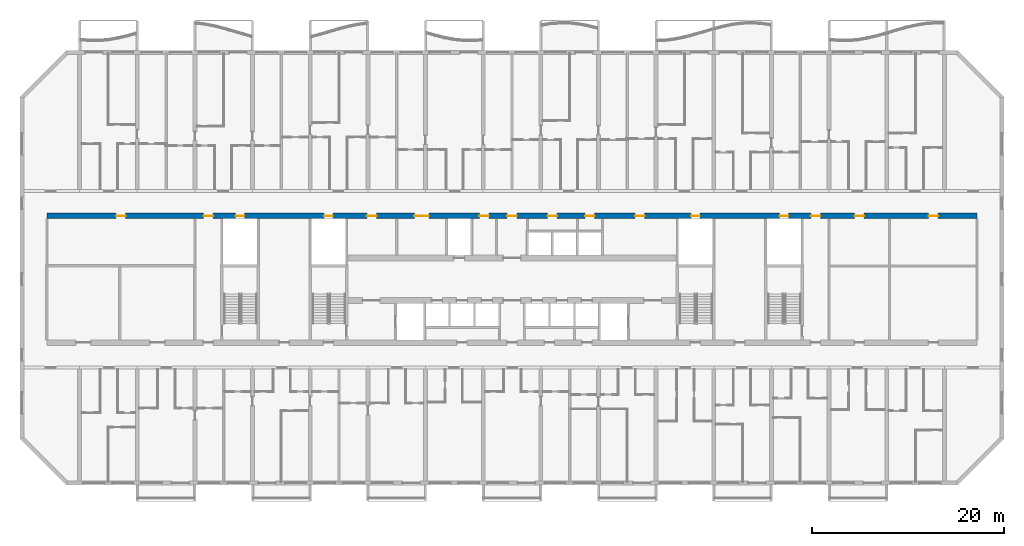
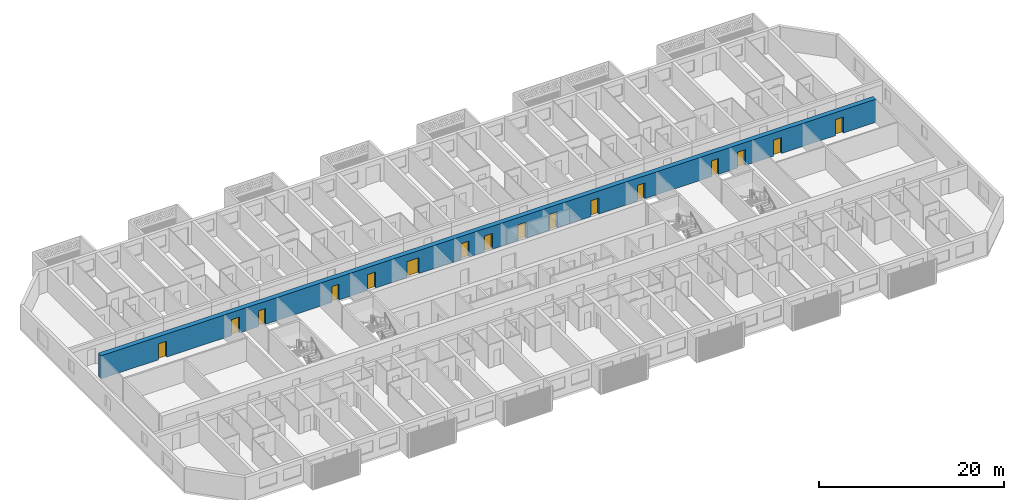
# One storey, part 9 of 38: 16 doors, 1 wall, 16 openings.
"""IFC4 building model written with IfcOpenShell, lengths in metres."""

from ifc_helpers import new_model, si_unit, direction, frame, frame_2d, origin, place, context, subcontext, project, spatial, rectangle, extrude, material, layer, layer_set, type_object, element, fill, save


model = new_model("IFC4")

# Units and contexts
model_context = context("Model", 3, precision=1e-05, world=origin(), true_north=direction((0.0, 1.0)))
body_context = subcontext(model_context, "Body", "Model", "MODEL_VIEW")
ifc_project = project(units=[si_unit("LENGTHUNIT", "METRE"), si_unit("AREAUNIT", "SQUARE_METRE"), si_unit("VOLUMEUNIT", "CUBIC_METRE"), si_unit("PLANEANGLEUNIT", "RADIAN"), si_unit("MASSUNIT", "GRAM", prefix="KILO")], contexts=[model_context])

# Site, building, storey
site_placement = place(None, origin())
site = spatial("IfcSite", under=ifc_project, at=site_placement, CompositionType="ELEMENT")
building_placement = place(site_placement, origin())
building = spatial("IfcBuilding", under=site, at=building_placement, Name="Poui Terraces", CompositionType="ELEMENT")
storey_placement = place(building_placement, frame((0.0, 0.0, 46.5)))
storey = spatial("IfcBuildingStorey", under=building, at=storey_placement, Name="L12", CompositionType="ELEMENT", Elevation=46.5)

# Wall, openings, doors
ifc_material_1 = material(Name="Concrete 80 MPa", Category="concrete")
ifc_layer = layer(ifc_material_1, 0.60009765625)
ifc_layer_set = layer_set([ifc_layer], Name="Concrete 80 MPa")
wall_type = type_object("IfcWallType", Name="SPINE WALL 600 80 MPA", PredefinedType="SOLIDWALL", material=ifc_layer_set)
wall_placement = place(storey_placement, frame((2.60009765625, 27.800048828125, 0.0), z_axis=(0.0, 0.0, 1.0), x_axis=(1.0, 0.0, 0.0)))
wall = element("IfcWall", 1, at=wall_placement, inside=storey, type_object=wall_type, Name="SPINE WALL", PredefinedType="SOLIDWALL", context=body_context, shape_type="SweptSolid", body=[
    extrude(rectangle(XDim=96.7998046875, YDim=0.60009765625, at=frame_2d((48.39990234375, 0.0))), origin(), (0.0, 0.0, 1.0), 3.050048828125),
])
opening_1_placement = place(wall_placement, frame((7.199951171875, 0.0, 0.0)))
opening_1 = element("IfcOpeningElement", 2, at=opening_1_placement, cuts=wall, Name="Opening D100", PredefinedType="OPENING", context=body_context, shape_type="SweptSolid", body=[
    extrude(rectangle(XDim=1.0, YDim=2.10009765625, at=frame_2d((0.5, 1.050048828125))), frame((0.0, 0.31005859375, 0.0), z_axis=(0.0, -1.0, 0.0), x_axis=(1.0, 0.0, 0.0)), (0.0, 0.0, 1.0), 0.6201171875),
])
opening_2_placement = place(wall_placement, frame((16.300048828125, 0.0, 0.0)))
opening_2 = element("IfcOpeningElement", 3, at=opening_2_placement, cuts=wall, Name="Opening FDL", PredefinedType="OPENING", context=body_context, shape_type="SweptSolid", body=[
    extrude(rectangle(XDim=1.0, YDim=2.10009765625, at=frame_2d((0.5, 1.050048828125))), frame((0.0, 0.31005859375, 0.0), z_axis=(0.0, -1.0, 0.0), x_axis=(1.0, 0.0, 0.0)), (0.0, 0.0, 1.0), 0.6201171875),
])
opening_3_placement = place(wall_placement, frame((19.64990234375, 0.0, 0.0)))
opening_3 = element("IfcOpeningElement", 4, at=opening_3_placement, cuts=wall, Name="Opening FDR", PredefinedType="OPENING", context=body_context, shape_type="SweptSolid", body=[
    extrude(rectangle(XDim=0.89990234375, YDim=2.10009765625, at=frame_2d((0.449951171875, 1.050048828125))), frame((0.0, 0.31005859375, 0.0), z_axis=(0.0, -1.0, 0.0), x_axis=(1.0, 0.0, 0.0)), (0.0, 0.0, 1.0), 0.6201171875),
])
opening_4_placement = place(wall_placement, frame((28.85009765625, 0.0, 0.0)))
opening_4 = element("IfcOpeningElement", 5, at=opening_4_placement, cuts=wall, Name="Opening FDR", PredefinedType="OPENING", context=body_context, shape_type="SweptSolid", body=[
    extrude(rectangle(XDim=0.89990234375, YDim=2.10009765625, at=frame_2d((0.449951171875, 1.050048828125))), frame((0.0, 0.31005859375, 0.0), z_axis=(0.0, -1.0, 0.0), x_axis=(1.0, 0.0, 0.0)), (0.0, 0.0, 1.0), 0.6201171875),
])
opening_5_placement = place(wall_placement, frame((33.300048828125, 0.0, 0.0)))
opening_5 = element("IfcOpeningElement", 6, at=opening_5_placement, cuts=wall, Name="Opening FD60", PredefinedType="OPENING", context=body_context, shape_type="SweptSolid", body=[
    extrude(rectangle(XDim=1.0, YDim=2.10009765625, at=frame_2d((0.5, 1.050048828125))), frame((0.0, 0.31005859375, 0.0), z_axis=(0.0, -1.0, 0.0), x_axis=(1.0, 0.0, 0.0)), (0.0, 0.0, 1.0), 0.6201171875),
])
opening_6_placement = place(wall_placement, frame((38.25, 0.0, 0.0)))
opening_6 = element("IfcOpeningElement", 7, at=opening_6_placement, cuts=wall, Name="Opening FDP", PredefinedType="OPENING", context=body_context, shape_type="SweptSolid", body=[
    extrude(rectangle(XDim=1.5, YDim=2.10009765625, at=frame_2d((0.75, 1.050048828125))), frame((0.0, 0.31005859375, 0.0), z_axis=(0.0, -1.0, 0.0), x_axis=(1.0, 0.0, 0.0)), (0.0, 0.0, 1.0), 0.6201171875),
])
opening_7_placement = place(wall_placement, frame((45.0, 0.0, 0.0)))
opening_7 = element("IfcOpeningElement", 8, at=opening_7_placement, cuts=wall, Name="Opening FD60", PredefinedType="OPENING", context=body_context, shape_type="SweptSolid", body=[
    extrude(rectangle(XDim=1.0, YDim=2.10009765625, at=frame_2d((0.5, 1.050048828125))), frame((0.0, 0.31005859375, 0.0), z_axis=(0.0, -1.0, 0.0), x_axis=(1.0, 0.0, 0.0)), (0.0, 0.0, 1.0), 0.6201171875),
])
opening_8_placement = place(wall_placement, frame((47.89990234375, 0.0, 0.0)))
opening_8 = element("IfcOpeningElement", 9, at=opening_8_placement, cuts=wall, Name="Opening FDL", PredefinedType="OPENING", context=body_context, shape_type="SweptSolid", body=[
    extrude(rectangle(XDim=1.0, YDim=2.10009765625, at=frame_2d((0.5, 1.050048828125))), frame((0.0, 0.31005859375, 0.0), z_axis=(0.0, -1.0, 0.0), x_axis=(1.0, 0.0, 0.0)), (0.0, 0.0, 1.0), 0.6201171875),
])
opening_9_placement = place(wall_placement, frame((52.10009765625, 0.0, 0.0)))
opening_9 = element("IfcOpeningElement", 10, at=opening_9_placement, cuts=wall, Name="Opening FD60", PredefinedType="OPENING", context=body_context, shape_type="SweptSolid", body=[
    extrude(rectangle(XDim=1.0, YDim=2.10009765625, at=frame_2d((0.5, 1.050048828125))), frame((0.0, 0.31005859375, 0.0), z_axis=(0.0, -1.0, 0.0), x_axis=(1.0, 0.0, 0.0)), (0.0, 0.0, 1.0), 0.6201171875),
])
opening_10_placement = place(wall_placement, frame((56.0, 0.0, 0.0)))
opening_10 = element("IfcOpeningElement", 11, at=opening_10_placement, cuts=wall, Name="Opening FD60", PredefinedType="OPENING", context=body_context, shape_type="SweptSolid", body=[
    extrude(rectangle(XDim=1.0, YDim=2.10009765625, at=frame_2d((0.5, 1.050048828125))), frame((0.0, 0.31005859375, 0.0), z_axis=(0.0, -1.0, 0.0), x_axis=(1.0, 0.0, 0.0)), (0.0, 0.0, 1.0), 0.6201171875),
])
opening_11_placement = place(wall_placement, frame((61.199951171875, 0.0, 0.0)))
opening_11 = element("IfcOpeningElement", 12, at=opening_11_placement, cuts=wall, Name="Opening FD60", PredefinedType="OPENING", context=body_context, shape_type="SweptSolid", body=[
    extrude(rectangle(XDim=1.0, YDim=2.10009765625, at=frame_2d((0.5, 1.050048828125))), frame((0.0, 0.31005859375, 0.0), z_axis=(0.0, -1.0, 0.0), x_axis=(1.0, 0.0, 0.0)), (0.0, 0.0, 1.0), 0.6201171875),
])
opening_12_placement = place(wall_placement, frame((67.050048828125, 0.0, 0.0)))
opening_12 = element("IfcOpeningElement", 13, at=opening_12_placement, cuts=wall, Name="Opening FDR", PredefinedType="OPENING", context=body_context, shape_type="SweptSolid", body=[
    extrude(rectangle(XDim=0.89990234375, YDim=2.10009765625, at=frame_2d((0.449951171875, 1.050048828125))), frame((0.0, 0.31005859375, 0.0), z_axis=(0.0, -1.0, 0.0), x_axis=(1.0, 0.0, 0.0)), (0.0, 0.0, 1.0), 0.6201171875),
])
opening_13_placement = place(wall_placement, frame((76.25, 0.0, 0.0)))
opening_13 = element("IfcOpeningElement", 14, at=opening_13_placement, cuts=wall, Name="Opening FDR", PredefinedType="OPENING", context=body_context, shape_type="SweptSolid", body=[
    extrude(rectangle(XDim=0.89990234375, YDim=2.10009765625, at=frame_2d((0.449951171875, 1.050048828125))), frame((0.0, 0.31005859375, 0.0), z_axis=(0.0, -1.0, 0.0), x_axis=(1.0, 0.0, 0.0)), (0.0, 0.0, 1.0), 0.6201171875),
])
opening_14_placement = place(wall_placement, frame((79.5, 0.0, 0.0)))
opening_14 = element("IfcOpeningElement", 15, at=opening_14_placement, cuts=wall, Name="Opening FDL", PredefinedType="OPENING", context=body_context, shape_type="SweptSolid", body=[
    extrude(rectangle(XDim=1.0, YDim=2.10009765625, at=frame_2d((0.5, 1.050048828125))), frame((0.0, 0.31005859375, 0.0), z_axis=(0.0, -1.0, 0.0), x_axis=(1.0, 0.0, 0.0)), (0.0, 0.0, 1.0), 0.6201171875),
])
opening_15_placement = place(wall_placement, frame((84.050048828125, 0.0, 0.0)))
opening_15 = element("IfcOpeningElement", 16, at=opening_15_placement, cuts=wall, Name="Opening D100", PredefinedType="OPENING", context=body_context, shape_type="SweptSolid", body=[
    extrude(rectangle(XDim=1.0, YDim=2.10009765625, at=frame_2d((0.5, 1.050048828125))), frame((0.0, 0.31005859375, 0.0), z_axis=(0.0, -1.0, 0.0), x_axis=(1.0, 0.0, 0.0)), (0.0, 0.0, 1.0), 0.6201171875),
])
opening_16_placement = place(wall_placement, frame((91.75, 0.0, 0.0)))
opening_16 = element("IfcOpeningElement", 17, at=opening_16_placement, cuts=wall, Name="Opening FD60", PredefinedType="OPENING", context=body_context, shape_type="SweptSolid", body=[
    extrude(rectangle(XDim=1.0, YDim=2.10009765625, at=frame_2d((0.5, 1.050048828125))), frame((0.0, 0.31005859375, 0.0), z_axis=(0.0, -1.0, 0.0), x_axis=(1.0, 0.0, 0.0)), (0.0, 0.0, 1.0), 0.6201171875),
])
ifc_material_2 = material(Name="Solid core timber door", Category="wood")
door_type_1 = type_object("IfcDoorType", Name="ACCESSIBLE INTERNAL DOOR 1000 X 2100", OperationType="NOTDEFINED", PredefinedType="DOOR", material=ifc_material_2)
door_1_placement = place(opening_1_placement, origin())
door_1 = element("IfcDoor", 18, at=door_1_placement, inside=storey, type_object=door_type_1, Name="ACCESSIBLE INTERNAL DOOR 001", OperationType="SINGLE_SWING_RIGHT", OverallHeight=2.10009765625, OverallWidth=1.0, PredefinedType="DOOR", context=body_context, shape_type="SweptSolid", body=[
    extrude(rectangle(XDim=1.0, YDim=2.10009765625, at=frame_2d((0.5, 1.050048828125))), frame((0.0, 0.02490234375, 0.0), z_axis=(0.0, -1.0, 0.0), x_axis=(1.0, 0.0, 0.0)), (0.0, 0.0, 1.0), 0.050048828125),
])
fill(opening_1, door_1)
door_2_placement = place(opening_15_placement, origin())
door_2 = element("IfcDoor", 19, at=door_2_placement, inside=storey, type_object=door_type_1, Name="ACCESSIBLE INTERNAL DOOR 015", OperationType="SINGLE_SWING_LEFT", OverallHeight=2.10009765625, OverallWidth=1.0, PredefinedType="DOOR", context=body_context, shape_type="SweptSolid", body=[
    extrude(rectangle(XDim=1.0, YDim=2.10009765625, at=frame_2d((0.5, 1.050048828125))), frame((0.0, 0.02490234375, 0.0), z_axis=(0.0, -1.0, 0.0), x_axis=(1.0, 0.0, 0.0)), (0.0, 0.0, 1.0), 0.050048828125),
])
fill(opening_15, door_2)
ifc_material_3 = material(Name="Steel fire door", Category="steel")
door_type_2 = type_object("IfcDoorType", Name="LOBBY FIRE DOOR 1000 X 2100", OperationType="NOTDEFINED", PredefinedType="DOOR", material=ifc_material_3)
door_3_placement = place(opening_2_placement, origin())
door_3 = element("IfcDoor", 20, at=door_3_placement, inside=storey, type_object=door_type_2, Name="LOBBY FIRE DOOR 002", OperationType="SINGLE_SWING_LEFT", OverallHeight=2.10009765625, OverallWidth=1.0, PredefinedType="DOOR", context=body_context, shape_type="SweptSolid", body=[
    extrude(rectangle(XDim=1.0, YDim=2.10009765625, at=frame_2d((0.5, 1.050048828125))), frame((0.0, 0.02490234375, 0.0), z_axis=(0.0, -1.0, 0.0), x_axis=(1.0, 0.0, 0.0)), (0.0, 0.0, 1.0), 0.050048828125),
])
fill(opening_2, door_3)
door_4_placement = place(opening_8_placement, origin())
door_4 = element("IfcDoor", 21, at=door_4_placement, inside=storey, type_object=door_type_2, Name="LOBBY FIRE DOOR 008", OperationType="SINGLE_SWING_RIGHT", OverallHeight=2.10009765625, OverallWidth=1.0, PredefinedType="DOOR", context=body_context, shape_type="SweptSolid", body=[
    extrude(rectangle(XDim=1.0, YDim=2.10009765625, at=frame_2d((0.5, 1.050048828125))), frame((0.0, 0.02490234375, 0.0), z_axis=(0.0, -1.0, 0.0), x_axis=(1.0, 0.0, 0.0)), (0.0, 0.0, 1.0), 0.050048828125),
])
fill(opening_8, door_4)
door_5_placement = place(opening_14_placement, origin())
door_5 = element("IfcDoor", 22, at=door_5_placement, inside=storey, type_object=door_type_2, Name="LOBBY FIRE DOOR 014", OperationType="SINGLE_SWING_RIGHT", OverallHeight=2.10009765625, OverallWidth=1.0, PredefinedType="DOOR", context=body_context, shape_type="SweptSolid", body=[
    extrude(rectangle(XDim=1.0, YDim=2.10009765625, at=frame_2d((0.5, 1.050048828125))), frame((0.0, 0.02490234375, 0.0), z_axis=(0.0, -1.0, 0.0), x_axis=(1.0, 0.0, 0.0)), (0.0, 0.0, 1.0), 0.050048828125),
])
fill(opening_14, door_5)
door_type_3 = type_object("IfcDoorType", Name="PLANT ROOM DOOR PAIR 1500 X 2100", OperationType="DOUBLE_DOOR_SINGLE_SWING", PredefinedType="DOOR", material=ifc_material_3)
door_6_placement = place(opening_6_placement, origin())
door_6 = element("IfcDoor", 23, at=door_6_placement, inside=storey, type_object=door_type_3, Name="PLANT ROOM DOOR PAIR 006", OperationType="DOUBLE_DOOR_SINGLE_SWING", OverallHeight=2.10009765625, OverallWidth=1.5, PredefinedType="DOOR", context=body_context, shape_type="SweptSolid", body=[
    extrude(rectangle(XDim=1.5, YDim=2.10009765625, at=frame_2d((0.75, 1.050048828125))), frame((0.0, 0.02490234375, 0.0), z_axis=(0.0, -1.0, 0.0), x_axis=(1.0, 0.0, 0.0)), (0.0, 0.0, 1.0), 0.050048828125),
])
fill(opening_6, door_6)
door_type_4 = type_object("IfcDoorType", Name="RISER CUPBOARD DOOR 900 X 2100", OperationType="NOTDEFINED", PredefinedType="DOOR", material=ifc_material_3)
door_7_placement = place(opening_3_placement, origin())
door_7 = element("IfcDoor", 24, at=door_7_placement, inside=storey, type_object=door_type_4, Name="RISER CUPBOARD DOOR 003", OperationType="SINGLE_SWING_LEFT", OverallHeight=2.10009765625, OverallWidth=0.89990234375, PredefinedType="DOOR", context=body_context, shape_type="SweptSolid", body=[
    extrude(rectangle(XDim=0.89990234375, YDim=2.10009765625, at=frame_2d((0.449951171875, 1.050048828125))), frame((0.0, 0.02490234375, 0.0), z_axis=(0.0, -1.0, 0.0), x_axis=(1.0, 0.0, 0.0)), (0.0, 0.0, 1.0), 0.050048828125),
])
fill(opening_3, door_7)
door_8_placement = place(opening_4_placement, origin())
door_8 = element("IfcDoor", 25, at=door_8_placement, inside=storey, type_object=door_type_4, Name="RISER CUPBOARD DOOR 004", OperationType="SINGLE_SWING_LEFT", OverallHeight=2.10009765625, OverallWidth=0.89990234375, PredefinedType="DOOR", context=body_context, shape_type="SweptSolid", body=[
    extrude(rectangle(XDim=0.89990234375, YDim=2.10009765625, at=frame_2d((0.449951171875, 1.050048828125))), frame((0.0, 0.02490234375, 0.0), z_axis=(0.0, -1.0, 0.0), x_axis=(1.0, 0.0, 0.0)), (0.0, 0.0, 1.0), 0.050048828125),
])
fill(opening_4, door_8)
door_9_placement = place(opening_12_placement, origin())
door_9 = element("IfcDoor", 26, at=door_9_placement, inside=storey, type_object=door_type_4, Name="RISER CUPBOARD DOOR 012", OperationType="SINGLE_SWING_RIGHT", OverallHeight=2.10009765625, OverallWidth=0.89990234375, PredefinedType="DOOR", context=body_context, shape_type="SweptSolid", body=[
    extrude(rectangle(XDim=0.89990234375, YDim=2.10009765625, at=frame_2d((0.449951171875, 1.050048828125))), frame((0.0, 0.02490234375, 0.0), z_axis=(0.0, -1.0, 0.0), x_axis=(1.0, 0.0, 0.0)), (0.0, 0.0, 1.0), 0.050048828125),
])
fill(opening_12, door_9)
door_10_placement = place(opening_13_placement, origin())
door_10 = element("IfcDoor", 27, at=door_10_placement, inside=storey, type_object=door_type_4, Name="RISER CUPBOARD DOOR 013", OperationType="SINGLE_SWING_RIGHT", OverallHeight=2.10009765625, OverallWidth=0.89990234375, PredefinedType="DOOR", context=body_context, shape_type="SweptSolid", body=[
    extrude(rectangle(XDim=0.89990234375, YDim=2.10009765625, at=frame_2d((0.449951171875, 1.050048828125))), frame((0.0, 0.02490234375, 0.0), z_axis=(0.0, -1.0, 0.0), x_axis=(1.0, 0.0, 0.0)), (0.0, 0.0, 1.0), 0.050048828125),
])
fill(opening_13, door_10)
door_type_5 = type_object("IfcDoorType", Name="SERVICE ROOM FIRE DOOR 1000 X 2100", OperationType="NOTDEFINED", PredefinedType="DOOR", material=ifc_material_3)
door_11_placement = place(opening_5_placement, origin())
door_11 = element("IfcDoor", 28, at=door_11_placement, inside=storey, type_object=door_type_5, Name="SERVICE ROOM FIRE DOOR 005", OperationType="SINGLE_SWING_RIGHT", OverallHeight=2.10009765625, OverallWidth=1.0, PredefinedType="DOOR", context=body_context, shape_type="SweptSolid", body=[
    extrude(rectangle(XDim=1.0, YDim=2.10009765625, at=frame_2d((0.5, 1.050048828125))), frame((0.0, 0.02490234375, 0.0), z_axis=(0.0, -1.0, 0.0), x_axis=(1.0, 0.0, 0.0)), (0.0, 0.0, 1.0), 0.050048828125),
])
fill(opening_5, door_11)
door_12_placement = place(opening_7_placement, origin())
door_12 = element("IfcDoor", 29, at=door_12_placement, inside=storey, type_object=door_type_5, Name="SERVICE ROOM FIRE DOOR 007", OperationType="SINGLE_SWING_RIGHT", OverallHeight=2.10009765625, OverallWidth=1.0, PredefinedType="DOOR", context=body_context, shape_type="SweptSolid", body=[
    extrude(rectangle(XDim=1.0, YDim=2.10009765625, at=frame_2d((0.5, 1.050048828125))), frame((0.0, 0.02490234375, 0.0), z_axis=(0.0, -1.0, 0.0), x_axis=(1.0, 0.0, 0.0)), (0.0, 0.0, 1.0), 0.050048828125),
])
fill(opening_7, door_12)
door_13_placement = place(opening_9_placement, origin())
door_13 = element("IfcDoor", 30, at=door_13_placement, inside=storey, type_object=door_type_5, Name="SERVICE ROOM FIRE DOOR 009", OperationType="SINGLE_SWING_LEFT", OverallHeight=2.10009765625, OverallWidth=1.0, PredefinedType="DOOR", context=body_context, shape_type="SweptSolid", body=[
    extrude(rectangle(XDim=1.0, YDim=2.10009765625, at=frame_2d((0.5, 1.050048828125))), frame((0.0, 0.02490234375, 0.0), z_axis=(0.0, -1.0, 0.0), x_axis=(1.0, 0.0, 0.0)), (0.0, 0.0, 1.0), 0.050048828125),
])
fill(opening_9, door_13)
door_14_placement = place(opening_10_placement, origin())
door_14 = element("IfcDoor", 31, at=door_14_placement, inside=storey, type_object=door_type_5, Name="SERVICE ROOM FIRE DOOR 010", OperationType="SINGLE_SWING_RIGHT", OverallHeight=2.10009765625, OverallWidth=1.0, PredefinedType="DOOR", context=body_context, shape_type="SweptSolid", body=[
    extrude(rectangle(XDim=1.0, YDim=2.10009765625, at=frame_2d((0.5, 1.050048828125))), frame((0.0, 0.02490234375, 0.0), z_axis=(0.0, -1.0, 0.0), x_axis=(1.0, 0.0, 0.0)), (0.0, 0.0, 1.0), 0.050048828125),
])
fill(opening_10, door_14)
door_15_placement = place(opening_11_placement, origin())
door_15 = element("IfcDoor", 32, at=door_15_placement, inside=storey, type_object=door_type_5, Name="SERVICE ROOM FIRE DOOR 011", OperationType="SINGLE_SWING_LEFT", OverallHeight=2.10009765625, OverallWidth=1.0, PredefinedType="DOOR", context=body_context, shape_type="SweptSolid", body=[
    extrude(rectangle(XDim=1.0, YDim=2.10009765625, at=frame_2d((0.5, 1.050048828125))), frame((0.0, 0.02490234375, 0.0), z_axis=(0.0, -1.0, 0.0), x_axis=(1.0, 0.0, 0.0)), (0.0, 0.0, 1.0), 0.050048828125),
])
fill(opening_11, door_15)
door_16_placement = place(opening_16_placement, origin())
door_16 = element("IfcDoor", 33, at=door_16_placement, inside=storey, type_object=door_type_5, Name="SERVICE ROOM FIRE DOOR 016", OperationType="SINGLE_SWING_RIGHT", OverallHeight=2.10009765625, OverallWidth=1.0, PredefinedType="DOOR", context=body_context, shape_type="SweptSolid", body=[
    extrude(rectangle(XDim=1.0, YDim=2.10009765625, at=frame_2d((0.5, 1.050048828125))), frame((0.0, 0.02490234375, 0.0), z_axis=(0.0, -1.0, 0.0), x_axis=(1.0, 0.0, 0.0)), (0.0, 0.0, 1.0), 0.050048828125),
])
fill(opening_16, door_16)

save(model, "model.ifc")
